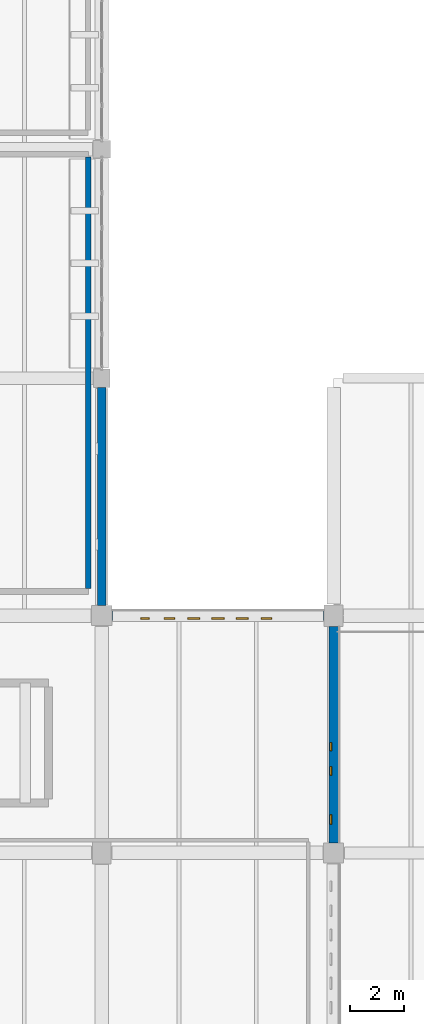
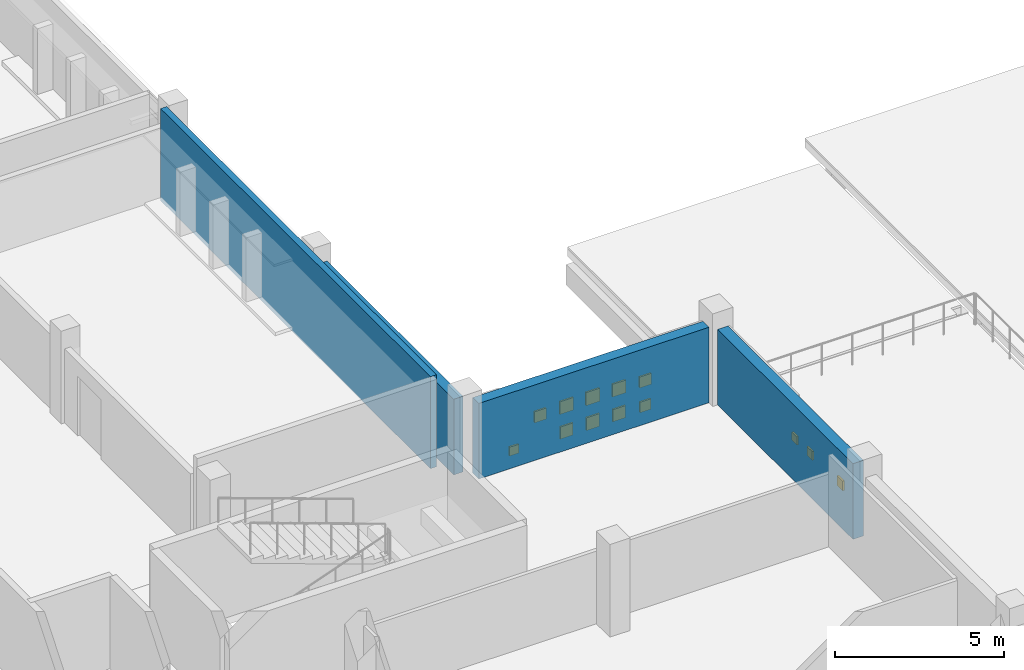
# One storey, part 80 of 93: 13 windows, 4 walls, 13 openings.
"""IFC4 building model written with IfcOpenShell, lengths in metres."""

from ifc_helpers import new_model, si_unit, direction, frame, frame_2d, origin, place, context, subcontext, project, spatial, rectangle, extrude, material, layer, layer_set, type_object, element, fill, save


model = new_model("IFC4")

# Units and contexts
model_context = context("Model", 3, precision=1e-05, world=origin(), true_north=direction((0.0, 1.0)))
body_context = subcontext(model_context, "Body", "Model", "MODEL_VIEW")
ifc_project = project(units=[si_unit("LENGTHUNIT", "METRE"), si_unit("AREAUNIT", "SQUARE_METRE"), si_unit("VOLUMEUNIT", "CUBIC_METRE"), si_unit("PLANEANGLEUNIT", "RADIAN"), si_unit("MASSUNIT", "GRAM", prefix="KILO")], contexts=[model_context])

# Site, building, storey
site_placement = place(None, origin())
site = spatial("IfcSite", under=ifc_project, at=site_placement, CompositionType="ELEMENT")
building_placement = place(site_placement, origin())
building = spatial("IfcBuilding", under=site, at=building_placement, Name="Varnakota Cinema and Media Centre", CompositionType="ELEMENT")
storey_placement = place(building_placement, frame((0.0, 0.0, 12.0)))
storey = spatial("IfcBuildingStorey", under=building, at=storey_placement, Name="L03", CompositionType="ELEMENT", Elevation=12.0)

# Walls
ifc_material_1 = material(Name="Autoclaved aerated concrete blockwork", Category="masonry")
ifc_layer_1 = layer(ifc_material_1, 0.2099609375)
ifc_layer_set_1 = layer_set([ifc_layer_1], Name="Autoclaved aerated concrete blockwork")
wall_type_1 = type_object("IfcWallType", Name="W-ACOUST-210", PredefinedType="PARTITIONING", material=ifc_layer_set_1)
wall_1_placement = place(storey_placement, frame((33.905029296875, 52.199951171875, 0.0), z_axis=(0.0, 0.0, 1.0), x_axis=(0.0, -1.0, 0.0)))
element("IfcWall", 1, at=wall_1_placement, inside=storey, type_object=wall_type_1, Name="L03 RWALL-RM-L03-ORCH E wall", PredefinedType="PARTITIONING", context=body_context, shape_type="SweptSolid", body=[
    extrude(rectangle(XDim=16.0, YDim=0.2099609375, at=frame_2d((8.0, 0.0))), origin(), (0.0, 0.0, 1.0), 3.330078125),
])
ifc_material_2 = material(Name="Deccan grey granite ashlar", Category="masonry")
ifc_layer_2 = layer(ifc_material_2, 0.320068359375)
ifc_layer_set_2 = layer_set([ifc_layer_2], Name="Deccan grey granite ashlar")
wall_type_2 = type_object("IfcWallType", Name="W-EXT-GRAN-320", PredefinedType="SOLIDWALL", material=ifc_layer_set_2)
wall_2_placement = place(storey_placement, frame((34.39990234375, 35.574951171875, 0.0), z_axis=(0.0, 0.0, 1.0), x_axis=(0.0, 1.0, 0.0)))
element("IfcWall", 2, at=wall_2_placement, inside=storey, type_object=wall_type_2, Name="L03 exterior wall V5-E-1", PredefinedType="SOLIDWALL", context=body_context, shape_type="SweptSolid", body=[
    extrude(rectangle(XDim=8.074951171875, YDim=0.320068359375, at=frame_2d((4.03759765625, 0.0))), origin(), (0.0, 0.0, 1.0), 2.735107421875),
])

# Wall, openings, windows
ifc_material_3 = material(Name="Pale Tandur limestone cladding", Category="masonry")
ifc_layer_3 = layer(ifc_material_3, 0.360107421875)
ifc_layer_set_3 = layer_set([ifc_layer_3], Name="Pale Tandur limestone cladding")
wall_type_3 = type_object("IfcWallType", Name="W-EXT-TANDUR-360", PredefinedType="SOLIDWALL", material=ifc_layer_set_3)
wall_3_placement = place(storey_placement, frame((43.0, 34.800048828125, 0.0), z_axis=(0.0, 0.0, 1.0), x_axis=(0.0, -1.0, 0.0)))
wall_3 = element("IfcWall", 3, at=wall_3_placement, inside=storey, type_object=wall_type_3, Name="L03 V4 pale Tandur stone monolith wall V4-E-01", PredefinedType="SOLIDWALL", context=body_context, shape_type="SweptSolid", body=[
    extrude(rectangle(XDim=8.025146484375, YDim=0.360107421875, at=frame_2d((4.0126953125, 0.0))), origin(), (0.0, 0.0, 1.0), 2.735107421875),
])
opening_1_placement = place(wall_3_placement, frame((4.3125, 0.0, 1.320068359375)))
opening_1 = element("IfcOpeningElement", 4, at=opening_1_placement, cuts=wall_3, Name="Opening WP14", PredefinedType="OPENING", context=body_context, shape_type="SweptSolid", body=[
    extrude(rectangle(XDim=0.300048828125, YDim=0.300048828125, at=frame_2d((0.14990234375, 0.14990234375))), frame((0.0, 0.18017578125, 0.0), z_axis=(0.0, -1.0, 0.0), x_axis=(1.0, 0.0, 0.0)), (0.0, 0.0, 1.0), 0.360107421875),
])
opening_2_placement = place(wall_3_placement, frame((5.202392578125, 0.0, 1.320068359375)))
opening_2 = element("IfcOpeningElement", 5, at=opening_2_placement, cuts=wall_3, Name="Opening WP13", PredefinedType="OPENING", context=body_context, shape_type="SweptSolid", body=[
    extrude(rectangle(XDim=0.320068359375, YDim=0.320068359375, at=frame_2d((0.16015625, 0.16015625))), frame((0.0, 0.18017578125, 0.0), z_axis=(0.0, -1.0, 0.0), x_axis=(1.0, 0.0, 0.0)), (0.0, 0.0, 1.0), 0.360107421875),
])
opening_3_placement = place(wall_3_placement, frame((6.992431640625, 0.0, 1.320068359375)))
opening_3 = element("IfcOpeningElement", 6, at=opening_3_placement, cuts=wall_3, Name="Opening WP12", PredefinedType="OPENING", context=body_context, shape_type="SweptSolid", body=[
    extrude(rectangle(XDim=0.340087890625, YDim=0.340087890625, at=frame_2d((0.169921875, 0.169921875))), frame((0.0, 0.18017578125, 0.0), z_axis=(0.0, -1.0, 0.0), x_axis=(1.0, 0.0, 0.0)), (0.0, 0.0, 1.0), 0.360107421875),
])
ifc_material_4 = material(Name="Laminated solar-control double glazing", Category="glass")
window_type_1 = type_object("IfcWindowType", Name="WIN-PIERCE-12", PartitioningType="SINGLE_PANEL", PredefinedType="WINDOW", material=ifc_material_4)
window_1_placement = place(opening_3_placement, origin())
window_1 = element("IfcWindow", 7, at=window_1_placement, inside=storey, type_object=window_type_1, Name="L03 window WP12", OverallHeight=0.340087890625, OverallWidth=0.340087890625, PartitioningType="SINGLE_PANEL", PredefinedType="WINDOW", context=body_context, shape_type="SweptSolid", body=[
    extrude(rectangle(XDim=0.340087890625, YDim=0.340087890625, at=frame_2d((0.169921875, 0.169921875))), frame((0.0, -0.070068359375, 0.0), z_axis=(0.0, -1.0, 0.0), x_axis=(1.0, 0.0, 0.0)), (0.0, 0.0, 1.0), 0.06005859375),
])
fill(opening_3, window_1)
ifc_material_5 = material(Name="Laminated solar-control double glazing", Category="glass")
window_type_2 = type_object("IfcWindowType", Name="WIN-PIERCE-13", PartitioningType="SINGLE_PANEL", PredefinedType="WINDOW", material=ifc_material_5)
window_2_placement = place(opening_2_placement, origin())
window_2 = element("IfcWindow", 8, at=window_2_placement, inside=storey, type_object=window_type_2, Name="L03 window WP13", OverallHeight=0.320068359375, OverallWidth=0.320068359375, PartitioningType="SINGLE_PANEL", PredefinedType="WINDOW", context=body_context, shape_type="SweptSolid", body=[
    extrude(rectangle(XDim=0.320068359375, YDim=0.320068359375, at=frame_2d((0.16015625, 0.16015625))), frame((0.0, -0.070068359375, 0.0), z_axis=(0.0, -1.0, 0.0), x_axis=(1.0, 0.0, 0.0)), (0.0, 0.0, 1.0), 0.06005859375),
])
fill(opening_2, window_2)
ifc_material_6 = material(Name="Laminated solar-control double glazing", Category="glass")
window_type_3 = type_object("IfcWindowType", Name="WIN-PIERCE-14", PartitioningType="SINGLE_PANEL", PredefinedType="WINDOW", material=ifc_material_6)
window_3_placement = place(opening_1_placement, origin())
window_3 = element("IfcWindow", 9, at=window_3_placement, inside=storey, type_object=window_type_3, Name="L03 window WP14", OverallHeight=0.300048828125, OverallWidth=0.300048828125, PartitioningType="SINGLE_PANEL", PredefinedType="WINDOW", context=body_context, shape_type="SweptSolid", body=[
    extrude(rectangle(XDim=0.300048828125, YDim=0.300048828125, at=frame_2d((0.14990234375, 0.14990234375))), frame((0.0, -0.070068359375, 0.0), z_axis=(0.0, -1.0, 0.0), x_axis=(1.0, 0.0, 0.0)), (0.0, 0.0, 1.0), 0.06005859375),
])
fill(opening_1, window_3)

wall_4_placement = place(storey_placement, frame((34.77490234375, 35.199951171875, 0.0), z_axis=(0.0, 0.0, 1.0), x_axis=(1.0, 0.0, 0.0)))
wall_4 = element("IfcWall", 10, at=wall_4_placement, inside=storey, type_object=wall_type_3, Name="L03 V4 pale Tandur stone monolith wall V4-N-01", PredefinedType="SOLIDWALL", context=body_context, shape_type="SweptSolid", body=[
    extrude(rectangle(XDim=7.875, YDim=0.360107421875, at=frame_2d((3.9375, 0.0))), origin(), (0.0, 0.0, 1.0), 2.735107421875),
])
opening_4_placement = place(wall_4_placement, frame((1.077392578125, 0.0, 0.419921875)))
opening_4 = element("IfcOpeningElement", 11, at=opening_4_placement, cuts=wall_4, Name="Opening WP13", PredefinedType="OPENING", context=body_context, shape_type="SweptSolid", body=[
    extrude(rectangle(XDim=0.320068359375, YDim=0.320068359375, at=frame_2d((0.16015625, 0.16015625))), frame((0.0, 0.18017578125, 0.0), z_axis=(0.0, -1.0, 0.0), x_axis=(1.0, 0.0, 0.0)), (0.0, 0.0, 1.0), 0.360107421875),
])
opening_5_placement = place(wall_4_placement, frame((1.9375, 0.0, 1.320068359375)))
opening_5 = element("IfcOpeningElement", 12, at=opening_5_placement, cuts=wall_4, Name="Opening WP09", PredefinedType="OPENING", context=body_context, shape_type="SweptSolid", body=[
    extrude(rectangle(XDim=0.39990234375, YDim=0.39990234375, at=frame_2d((0.199951171875, 0.199951171875))), frame((0.0, 0.18017578125, 0.0), z_axis=(0.0, -1.0, 0.0), x_axis=(1.0, 0.0, 0.0)), (0.0, 0.0, 1.0), 0.360107421875),
])
opening_6_placement = place(wall_4_placement, frame((2.8173828125, 0.0, 0.419921875)))
opening_6 = element("IfcOpeningElement", 13, at=opening_6_placement, cuts=wall_4, Name="Opening WP07", PredefinedType="OPENING", context=body_context, shape_type="SweptSolid", body=[
    extrude(rectangle(XDim=0.43994140625, YDim=0.43994140625, at=frame_2d((0.219970703125, 0.219970703125))), frame((0.0, 0.18017578125, 0.0), z_axis=(0.0, -1.0, 0.0), x_axis=(1.0, 0.0, 0.0)), (0.0, 0.0, 1.0), 0.360107421875),
])
opening_7_placement = place(wall_4_placement, frame((2.8076171875, 0.0, 1.320068359375)))
opening_7 = element("IfcOpeningElement", 14, at=opening_7_placement, cuts=wall_4, Name="Opening WP06", PredefinedType="OPENING", context=body_context, shape_type="SweptSolid", body=[
    extrude(rectangle(XDim=0.4599609375, YDim=0.4599609375, at=frame_2d((0.22998046875, 0.22998046875))), frame((0.0, 0.18017578125, 0.0), z_axis=(0.0, -1.0, 0.0), x_axis=(1.0, 0.0, 0.0)), (0.0, 0.0, 1.0), 0.360107421875),
])
opening_8_placement = place(wall_4_placement, frame((3.70751953125, 0.0, 0.419921875)))
opening_8 = element("IfcOpeningElement", 15, at=opening_8_placement, cuts=wall_4, Name="Opening WP06", PredefinedType="OPENING", context=body_context, shape_type="SweptSolid", body=[
    extrude(rectangle(XDim=0.4599609375, YDim=0.4599609375, at=frame_2d((0.22998046875, 0.22998046875))), frame((0.0, 0.18017578125, 0.0), z_axis=(0.0, -1.0, 0.0), x_axis=(1.0, 0.0, 0.0)), (0.0, 0.0, 1.0), 0.360107421875),
])
opening_9_placement = place(wall_4_placement, frame((3.697509765625, 0.0, 1.320068359375)))
opening_9 = element("IfcOpeningElement", 16, at=opening_9_placement, cuts=wall_4, Name="Opening WP05", PredefinedType="OPENING", context=body_context, shape_type="SweptSolid", body=[
    extrude(rectangle(XDim=0.47998046875, YDim=0.47998046875, at=frame_2d((0.239990234375, 0.239990234375))), frame((0.0, 0.18017578125, 0.0), z_axis=(0.0, -1.0, 0.0), x_axis=(1.0, 0.0, 0.0)), (0.0, 0.0, 1.0), 0.360107421875),
])
opening_10_placement = place(wall_4_placement, frame((4.617431640625, 0.0, 0.419921875)))
opening_10 = element("IfcOpeningElement", 17, at=opening_10_placement, cuts=wall_4, Name="Opening WP07", PredefinedType="OPENING", context=body_context, shape_type="SweptSolid", body=[
    extrude(rectangle(XDim=0.43994140625, YDim=0.43994140625, at=frame_2d((0.219970703125, 0.219970703125))), frame((0.0, 0.18017578125, 0.0), z_axis=(0.0, -1.0, 0.0), x_axis=(1.0, 0.0, 0.0)), (0.0, 0.0, 1.0), 0.360107421875),
])
opening_11_placement = place(wall_4_placement, frame((4.607421875, 0.0, 1.320068359375)))
opening_11 = element("IfcOpeningElement", 18, at=opening_11_placement, cuts=wall_4, Name="Opening WP06", PredefinedType="OPENING", context=body_context, shape_type="SweptSolid", body=[
    extrude(rectangle(XDim=0.4599609375, YDim=0.4599609375, at=frame_2d((0.22998046875, 0.22998046875))), frame((0.0, 0.18017578125, 0.0), z_axis=(0.0, -1.0, 0.0), x_axis=(1.0, 0.0, 0.0)), (0.0, 0.0, 1.0), 0.360107421875),
])
opening_12_placement = place(wall_4_placement, frame((5.547607421875, 0.0, 0.419921875)))
opening_12 = element("IfcOpeningElement", 19, at=opening_12_placement, cuts=wall_4, Name="Opening WP10", PredefinedType="OPENING", context=body_context, shape_type="SweptSolid", body=[
    extrude(rectangle(XDim=0.3798828125, YDim=0.3798828125, at=frame_2d((0.18994140625, 0.18994140625))), frame((0.0, 0.18017578125, 0.0), z_axis=(0.0, -1.0, 0.0), x_axis=(1.0, 0.0, 0.0)), (0.0, 0.0, 1.0), 0.360107421875),
])
opening_13_placement = place(wall_4_placement, frame((5.53759765625, 0.0, 1.320068359375)))
opening_13 = element("IfcOpeningElement", 20, at=opening_13_placement, cuts=wall_4, Name="Opening WP09", PredefinedType="OPENING", context=body_context, shape_type="SweptSolid", body=[
    extrude(rectangle(XDim=0.39990234375, YDim=0.39990234375, at=frame_2d((0.199951171875, 0.199951171875))), frame((0.0, 0.18017578125, 0.0), z_axis=(0.0, -1.0, 0.0), x_axis=(1.0, 0.0, 0.0)), (0.0, 0.0, 1.0), 0.360107421875),
])
ifc_material_7 = material(Name="Laminated solar-control double glazing", Category="glass")
window_type_4 = type_object("IfcWindowType", Name="WIN-PIERCE-05", PartitioningType="SINGLE_PANEL", PredefinedType="WINDOW", material=ifc_material_7)
window_4_placement = place(opening_9_placement, origin())
window_4 = element("IfcWindow", 21, at=window_4_placement, inside=storey, type_object=window_type_4, Name="L03 window WP05", OverallHeight=0.47998046875, OverallWidth=0.47998046875, PartitioningType="SINGLE_PANEL", PredefinedType="WINDOW", context=body_context, shape_type="SweptSolid", body=[
    extrude(rectangle(XDim=0.47998046875, YDim=0.47998046875, at=frame_2d((0.239990234375, 0.239990234375))), frame((0.0, -0.070068359375, 0.0), z_axis=(0.0, -1.0, 0.0), x_axis=(1.0, 0.0, 0.0)), (0.0, 0.0, 1.0), 0.06005859375),
])
fill(opening_9, window_4)
ifc_material_8 = material(Name="Laminated solar-control double glazing", Category="glass")
window_type_5 = type_object("IfcWindowType", Name="WIN-PIERCE-06", PartitioningType="SINGLE_PANEL", PredefinedType="WINDOW", material=ifc_material_8)
window_5_placement = place(opening_7_placement, origin())
window_5 = element("IfcWindow", 22, at=window_5_placement, inside=storey, type_object=window_type_5, Name="L03 window WP06", OverallHeight=0.4599609375, OverallWidth=0.4599609375, PartitioningType="SINGLE_PANEL", PredefinedType="WINDOW", context=body_context, shape_type="SweptSolid", body=[
    extrude(rectangle(XDim=0.4599609375, YDim=0.4599609375, at=frame_2d((0.22998046875, 0.22998046875))), frame((0.0, -0.070068359375, 0.0), z_axis=(0.0, -1.0, 0.0), x_axis=(1.0, 0.0, 0.0)), (0.0, 0.0, 1.0), 0.06005859375),
])
fill(opening_7, window_5)
window_6_placement = place(opening_8_placement, origin())
window_6 = element("IfcWindow", 23, at=window_6_placement, inside=storey, type_object=window_type_5, Name="L03 window WP06", OverallHeight=0.4599609375, OverallWidth=0.4599609375, PartitioningType="SINGLE_PANEL", PredefinedType="WINDOW", context=body_context, shape_type="SweptSolid", body=[
    extrude(rectangle(XDim=0.4599609375, YDim=0.4599609375, at=frame_2d((0.22998046875, 0.22998046875))), frame((0.0, -0.070068359375, 0.0), z_axis=(0.0, -1.0, 0.0), x_axis=(1.0, 0.0, 0.0)), (0.0, 0.0, 1.0), 0.06005859375),
])
fill(opening_8, window_6)
window_7_placement = place(opening_11_placement, origin())
window_7 = element("IfcWindow", 24, at=window_7_placement, inside=storey, type_object=window_type_5, Name="L03 window WP06", OverallHeight=0.4599609375, OverallWidth=0.4599609375, PartitioningType="SINGLE_PANEL", PredefinedType="WINDOW", context=body_context, shape_type="SweptSolid", body=[
    extrude(rectangle(XDim=0.4599609375, YDim=0.4599609375, at=frame_2d((0.22998046875, 0.22998046875))), frame((0.0, -0.070068359375, 0.0), z_axis=(0.0, -1.0, 0.0), x_axis=(1.0, 0.0, 0.0)), (0.0, 0.0, 1.0), 0.06005859375),
])
fill(opening_11, window_7)
ifc_material_9 = material(Name="Laminated solar-control double glazing", Category="glass")
window_type_6 = type_object("IfcWindowType", Name="WIN-PIERCE-07", PartitioningType="SINGLE_PANEL", PredefinedType="WINDOW", material=ifc_material_9)
window_8_placement = place(opening_6_placement, origin())
window_8 = element("IfcWindow", 25, at=window_8_placement, inside=storey, type_object=window_type_6, Name="L03 window WP07", OverallHeight=0.43994140625, OverallWidth=0.43994140625, PartitioningType="SINGLE_PANEL", PredefinedType="WINDOW", context=body_context, shape_type="SweptSolid", body=[
    extrude(rectangle(XDim=0.43994140625, YDim=0.43994140625, at=frame_2d((0.219970703125, 0.219970703125))), frame((0.0, -0.070068359375, 0.0), z_axis=(0.0, -1.0, 0.0), x_axis=(1.0, 0.0, 0.0)), (0.0, 0.0, 1.0), 0.06005859375),
])
fill(opening_6, window_8)
window_9_placement = place(opening_10_placement, origin())
window_9 = element("IfcWindow", 26, at=window_9_placement, inside=storey, type_object=window_type_6, Name="L03 window WP07", OverallHeight=0.43994140625, OverallWidth=0.43994140625, PartitioningType="SINGLE_PANEL", PredefinedType="WINDOW", context=body_context, shape_type="SweptSolid", body=[
    extrude(rectangle(XDim=0.43994140625, YDim=0.43994140625, at=frame_2d((0.219970703125, 0.219970703125))), frame((0.0, -0.070068359375, 0.0), z_axis=(0.0, -1.0, 0.0), x_axis=(1.0, 0.0, 0.0)), (0.0, 0.0, 1.0), 0.06005859375),
])
fill(opening_10, window_9)
ifc_material_10 = material(Name="Laminated solar-control double glazing", Category="glass")
window_type_7 = type_object("IfcWindowType", Name="WIN-PIERCE-09", PartitioningType="SINGLE_PANEL", PredefinedType="WINDOW", material=ifc_material_10)
window_10_placement = place(opening_5_placement, origin())
window_10 = element("IfcWindow", 27, at=window_10_placement, inside=storey, type_object=window_type_7, Name="L03 window WP09", OverallHeight=0.39990234375, OverallWidth=0.39990234375, PartitioningType="SINGLE_PANEL", PredefinedType="WINDOW", context=body_context, shape_type="SweptSolid", body=[
    extrude(rectangle(XDim=0.39990234375, YDim=0.39990234375, at=frame_2d((0.199951171875, 0.199951171875))), frame((0.0, -0.070068359375, 0.0), z_axis=(0.0, -1.0, 0.0), x_axis=(1.0, 0.0, 0.0)), (0.0, 0.0, 1.0), 0.06005859375),
])
fill(opening_5, window_10)
window_11_placement = place(opening_13_placement, origin())
window_11 = element("IfcWindow", 28, at=window_11_placement, inside=storey, type_object=window_type_7, Name="L03 window WP09", OverallHeight=0.39990234375, OverallWidth=0.39990234375, PartitioningType="SINGLE_PANEL", PredefinedType="WINDOW", context=body_context, shape_type="SweptSolid", body=[
    extrude(rectangle(XDim=0.39990234375, YDim=0.39990234375, at=frame_2d((0.199951171875, 0.199951171875))), frame((0.0, -0.070068359375, 0.0), z_axis=(0.0, -1.0, 0.0), x_axis=(1.0, 0.0, 0.0)), (0.0, 0.0, 1.0), 0.06005859375),
])
fill(opening_13, window_11)
ifc_material_11 = material(Name="Laminated solar-control double glazing", Category="glass")
window_type_8 = type_object("IfcWindowType", Name="WIN-PIERCE-10", PartitioningType="SINGLE_PANEL", PredefinedType="WINDOW", material=ifc_material_11)
window_12_placement = place(opening_12_placement, origin())
window_12 = element("IfcWindow", 29, at=window_12_placement, inside=storey, type_object=window_type_8, Name="L03 window WP10", OverallHeight=0.3798828125, OverallWidth=0.3798828125, PartitioningType="SINGLE_PANEL", PredefinedType="WINDOW", context=body_context, shape_type="SweptSolid", body=[
    extrude(rectangle(XDim=0.3798828125, YDim=0.3798828125, at=frame_2d((0.18994140625, 0.18994140625))), frame((0.0, -0.070068359375, 0.0), z_axis=(0.0, -1.0, 0.0), x_axis=(1.0, 0.0, 0.0)), (0.0, 0.0, 1.0), 0.06005859375),
])
fill(opening_12, window_12)
window_13_placement = place(opening_4_placement, origin())
window_13 = element("IfcWindow", 30, at=window_13_placement, inside=storey, type_object=window_type_2, Name="L03 window WP13", OverallHeight=0.320068359375, OverallWidth=0.320068359375, PartitioningType="SINGLE_PANEL", PredefinedType="WINDOW", context=body_context, shape_type="SweptSolid", body=[
    extrude(rectangle(XDim=0.320068359375, YDim=0.320068359375, at=frame_2d((0.16015625, 0.16015625))), frame((0.0, -0.070068359375, 0.0), z_axis=(0.0, -1.0, 0.0), x_axis=(1.0, 0.0, 0.0)), (0.0, 0.0, 1.0), 0.06005859375),
])
fill(opening_4, window_13)

save(model, "model.ifc")
